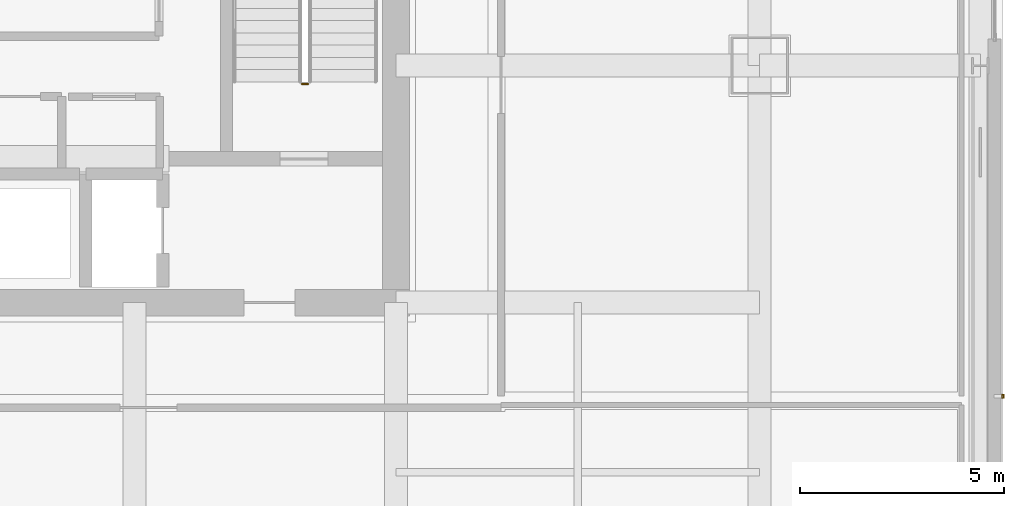
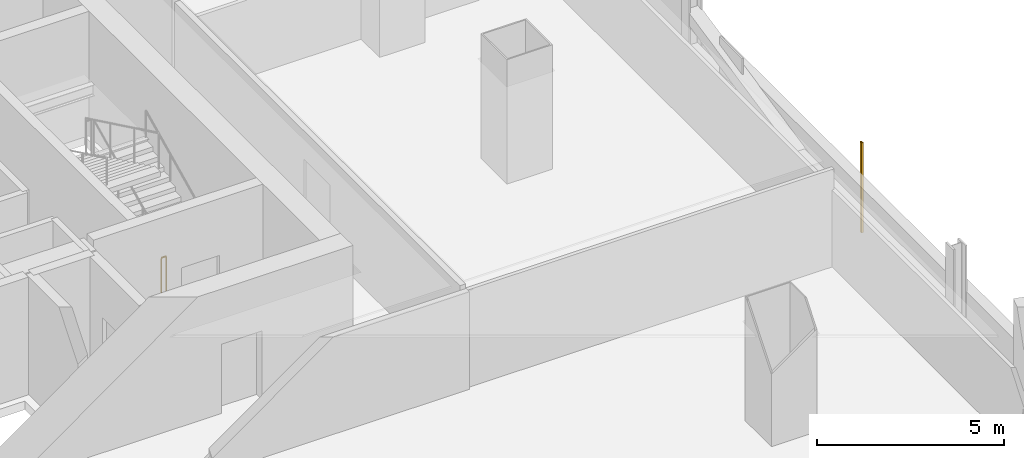
# One storey, part 23 of 27: 1 railing, 1 shading device.
"""IFC4 building model written with IfcOpenShell, lengths in metres."""

from ifc_helpers import new_model, si_unit, direction, frame, origin, origin_2d, place, context, subcontext, project, spatial, hollow_rectangle, circle, extrude, material, material_profile, profile_set, type_object, element, save


model = new_model("IFC4")

# Units and contexts
model_context = context("Model", 3, precision=1e-05, world=origin(), true_north=direction((0.0, 1.0)))
body_context = subcontext(model_context, "Body", "Model", "MODEL_VIEW")
ifc_project = project(units=[si_unit("LENGTHUNIT", "METRE"), si_unit("AREAUNIT", "SQUARE_METRE"), si_unit("VOLUMEUNIT", "CUBIC_METRE"), si_unit("PLANEANGLEUNIT", "RADIAN"), si_unit("MASSUNIT", "GRAM", prefix="KILO")], contexts=[model_context])

# Site, building, storey
site_placement = place(None, origin())
site = spatial("IfcSite", under=ifc_project, at=site_placement, CompositionType="ELEMENT")
building_placement = place(site_placement, origin())
building = spatial("IfcBuilding", under=site, at=building_placement, Name="Punatoya Terracotta Tower", CompositionType="ELEMENT")
storey_placement = place(building_placement, frame((0.0, 0.0, 204.60009765625)))
storey = spatial("IfcBuildingStorey", under=building, at=storey_placement, Name="L48", CompositionType="ELEMENT", Elevation=204.60009765625)

# Railing
ifc_material_1 = material(Name="Steel S355", Category="steel")
railing_type = type_object("IfcRailingType", Name="RLG-GRD-1150", PredefinedType="GUARDRAIL", material=ifc_material_1)
railing_placement = place(storey_placement, frame((8.050048828125, -3.85009765625, 0.0)))
element("IfcRailing", 1, at=railing_placement, inside=storey, type_object=railing_type, Name="L48 ST-2 stair guard 4", PredefinedType="GUARDRAIL", context=body_context, shape_type="SweptSolid", body=[
    extrude(circle(Radius=0.02392578125, at=origin_2d()), frame((0.0, 0.0, 1.1259765625), z_axis=(-1.0, 0.0, 0.0), x_axis=(0.0, -1.0, 0.0)), (0.0, 0.0, 1.0), 0.150146484375),
    extrude(circle(Radius=0.02099609375, at=origin_2d()), origin(), (0.0, 0.0, 1.0), 1.101806640625),
    extrude(circle(Radius=0.02099609375, at=origin_2d()), frame((-0.150146484375, 0.0, 0.0)), (0.0, 0.0, 1.0), 1.101806640625),
])

# Shading device
ifc_material_2 = material(Name="Architectural Fired Terracotta", Category="masonry")
ifc_material_profile = material_profile(ifc_material_2, hollow_rectangle(XDim=0.06005859375, YDim=0.090087890625, WallThickness=0.013916015625, at=origin_2d()))
ifc_profile_set = profile_set([ifc_material_profile], Name="Architectural Fired Terracotta")
shading_device_type = type_object("IfcShadingDeviceType", Name="SHD-JALI-90", PredefinedType="JALOUSIE", material=ifc_profile_set)
shading_device_placement = place(storey_placement, frame((25.050048828125, -11.493408203125, 0.599853515625), z_axis=(0.0, 0.0, 1.0), x_axis=(1.0, 0.0, 0.0)))
element("IfcShadingDevice", 2, at=shading_device_placement, inside=storey, type_object=shading_device_type, Name="L48 Braced Bay Terracotta Jali Fin E1", PredefinedType="JALOUSIE", context=body_context, shape_type="SweptSolid", body=[
    extrude(hollow_rectangle(XDim=0.06005859375, YDim=0.090087890625, WallThickness=0.013916015625, at=origin_2d()), origin(), (0.0, 0.0, 1.0), 2.929931640625),
])

save(model, "model.ifc")
